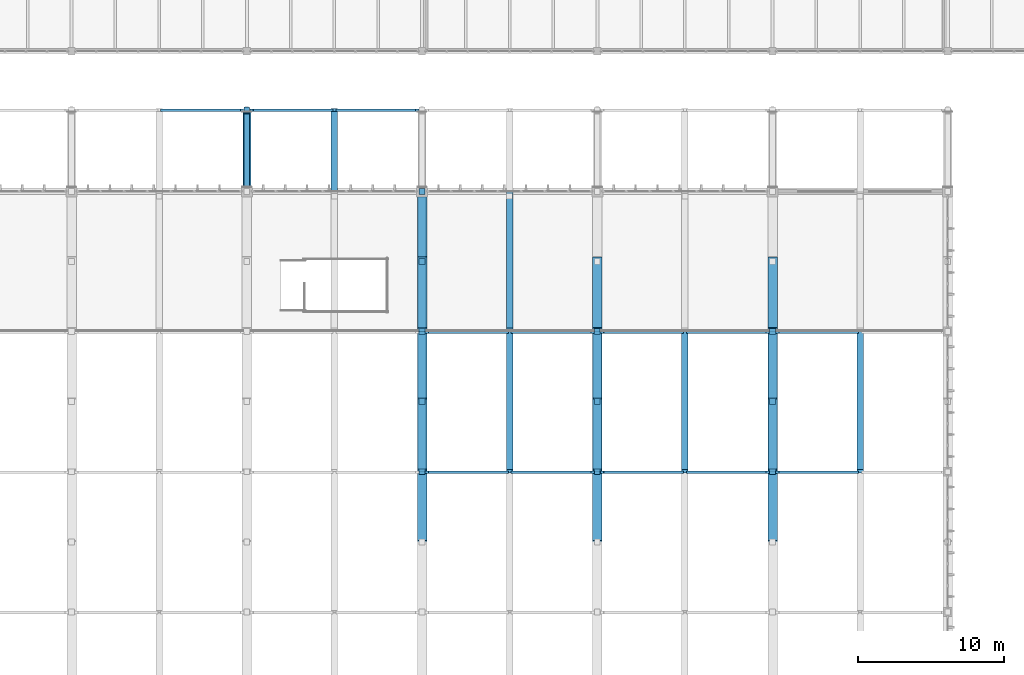
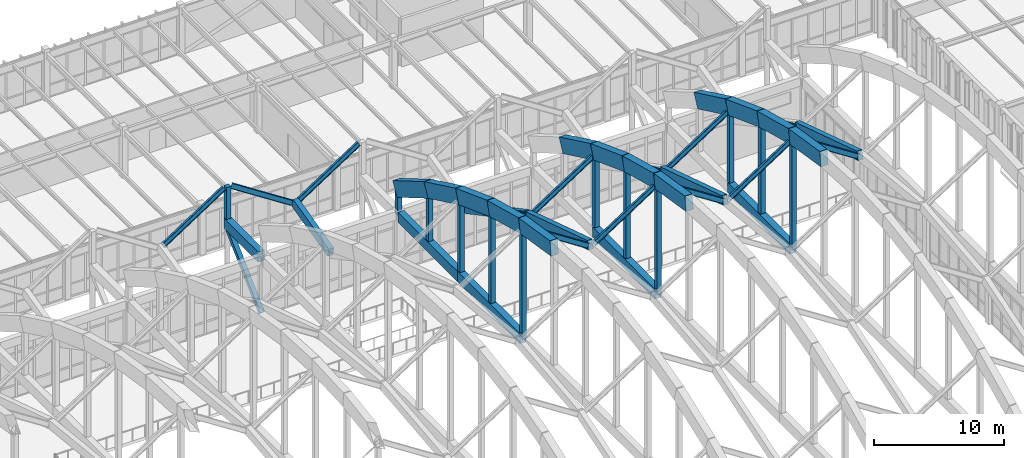
# One storey, part 83 of 236: 26 members, 23 beams.
"""IFC4 building model written with IfcOpenShell, lengths in metres."""

from ifc_helpers import new_model, si_unit, direction, frame, origin, origin_2d, place, context, subcontext, project, spatial, rectangle, i_section, extrude, material, material_profile, profile_set, type_object, element, save


model = new_model("IFC4")

# Units and contexts
model_context = context("Model", 3, precision=1e-05, world=origin(), true_north=direction((0.0, 1.0)))
body_context = subcontext(model_context, "Body", "Model", "MODEL_VIEW")
ifc_project = project(units=[si_unit("LENGTHUNIT", "METRE"), si_unit("AREAUNIT", "SQUARE_METRE"), si_unit("VOLUMEUNIT", "CUBIC_METRE"), si_unit("PLANEANGLEUNIT", "RADIAN"), si_unit("MASSUNIT", "GRAM", prefix="KILO")], contexts=[model_context])

# Site, building, storey
site_placement = place(None, origin())
site = spatial("IfcSite", under=ifc_project, at=site_placement, CompositionType="ELEMENT")
building_placement = place(site_placement, origin())
building = spatial("IfcBuilding", under=site, at=building_placement, Name="Pandanus Reach Market Hall", CompositionType="ELEMENT")
storey_placement = place(building_placement, frame((0.0, 0.0, 5.39990234375)))
storey = spatial("IfcBuildingStorey", under=building, at=storey_placement, Name="L01", CompositionType="ELEMENT", Elevation=5.39990234375)

# Members
ifc_material_1 = material(Name="Concrete N50 (50 MPa)", Category="concrete")
ifc_material_profile_1 = material_profile(ifc_material_1, rectangle(XDim=0.64990234375, YDim=1.35009765625, at=origin_2d()), Name="RC650x1350", Category="LoadBearing")
ifc_profile_set_1 = profile_set([ifc_material_profile_1], Name="Concrete N50 (50 MPa)")
member_type_1 = type_object("IfcMemberType", Name="AR-RC650-E", PredefinedType="CHORD", material=ifc_profile_set_1)
member_1_placement = place(storey_placement, frame((96.0, 62.39990234375, 16.724609375), z_axis=(0.0, 0.987485724156, -0.15770841635), x_axis=(-1.0, 0.0, 0.0)))
element("IfcMember", 1, at=member_1_placement, inside=storey, type_object=member_type_1, Name="Parabolic arch top chord A5.8", PredefinedType="CHORD", context=body_context, shape_type="SweptSolid", body=[
    extrude(rectangle(XDim=0.64990234375, YDim=1.35009765625, at=origin_2d()), origin(), (0.0, 0.0, 1.0), 4.86083984375),
])
member_2_placement = place(storey_placement, frame((96.0, 67.199951171875, 15.9580078125), z_axis=(0.0, 0.966344166189, -0.257252701584), x_axis=(-1.0, 0.0, 0.0)))
element("IfcMember", 2, at=member_2_placement, inside=storey, type_object=member_type_1, Name="Parabolic arch top chord A5.9", PredefinedType="CHORD", context=body_context, shape_type="SweptSolid", body=[
    extrude(rectangle(XDim=0.64990234375, YDim=1.35009765625, at=origin_2d()), origin(), (0.0, 0.0, 1.0), 4.96728515625),
])
member_3_placement = place(storey_placement, frame((96.0, 72.0, 14.68017578125), z_axis=(0.0, 0.937030438748, -0.349247701294), x_axis=(-1.0, 0.0, 0.0)))
element("IfcMember", 3, at=member_3_placement, inside=storey, type_object=member_type_1, Name="Parabolic arch top chord A5.10", PredefinedType="CHORD", context=body_context, shape_type="SweptSolid", body=[
    extrude(rectangle(XDim=0.64990234375, YDim=1.35009765625, at=origin_2d()), origin(), (0.0, 0.0, 1.0), 5.12255859375),
])
member_4_placement = place(storey_placement, frame((96.0, 76.800048828125, 12.89111328125), z_axis=(0.0, 0.901832040997, -0.432086761924), x_axis=(-1.0, 0.0, 0.0)))
element("IfcMember", 4, at=member_4_placement, inside=storey, type_object=member_type_1, Name="Parabolic arch top chord A5.11", PredefinedType="CHORD", context=body_context, shape_type="SweptSolid", body=[
    extrude(rectangle(XDim=0.64990234375, YDim=1.35009765625, at=origin_2d()), origin(), (0.0, 0.0, 1.0), 5.322509765625),
])
member_5_placement = place(storey_placement, frame((96.0, 81.60009765625, 10.59130859375), z_axis=(0.0, 0.862886095496, -0.505398443013), x_axis=(-1.0, 0.0, 0.0)))
element("IfcMember", 5, at=member_5_placement, inside=storey, type_object=member_type_1, Name="Parabolic arch top chord A5.12", PredefinedType="CHORD", context=body_context, shape_type="SweptSolid", body=[
    extrude(rectangle(XDim=0.64990234375, YDim=1.35009765625, at=origin_2d()), origin(), (0.0, 0.0, 1.0), 5.5625),
])
member_6_placement = place(storey_placement, frame((108.0, 62.39990234375, 16.724609375), z_axis=(0.0, 0.987485724156, -0.15770841635), x_axis=(-1.0, 0.0, 0.0)))
element("IfcMember", 6, at=member_6_placement, inside=storey, type_object=member_type_1, Name="Parabolic arch top chord A6.8", PredefinedType="CHORD", context=body_context, shape_type="SweptSolid", body=[
    extrude(rectangle(XDim=0.64990234375, YDim=1.35009765625, at=origin_2d()), origin(), (0.0, 0.0, 1.0), 4.86083984375),
])
member_7_placement = place(storey_placement, frame((108.0, 67.199951171875, 15.9580078125), z_axis=(0.0, 0.966344166189, -0.257252701584), x_axis=(-1.0, 0.0, 0.0)))
element("IfcMember", 7, at=member_7_placement, inside=storey, type_object=member_type_1, Name="Parabolic arch top chord A6.9", PredefinedType="CHORD", context=body_context, shape_type="SweptSolid", body=[
    extrude(rectangle(XDim=0.64990234375, YDim=1.35009765625, at=origin_2d()), origin(), (0.0, 0.0, 1.0), 4.96728515625),
])
member_8_placement = place(storey_placement, frame((108.0, 72.0, 14.68017578125), z_axis=(0.0, 0.937030438748, -0.349247701294), x_axis=(-1.0, 0.0, 0.0)))
element("IfcMember", 8, at=member_8_placement, inside=storey, type_object=member_type_1, Name="Parabolic arch top chord A6.10", PredefinedType="CHORD", context=body_context, shape_type="SweptSolid", body=[
    extrude(rectangle(XDim=0.64990234375, YDim=1.35009765625, at=origin_2d()), origin(), (0.0, 0.0, 1.0), 5.12255859375),
])
member_9_placement = place(storey_placement, frame((108.0, 76.800048828125, 12.89111328125), z_axis=(0.0, 0.901832040997, -0.432086761924), x_axis=(-1.0, 0.0, 0.0)))
element("IfcMember", 9, at=member_9_placement, inside=storey, type_object=member_type_1, Name="Parabolic arch top chord A6.11", PredefinedType="CHORD", context=body_context, shape_type="SweptSolid", body=[
    extrude(rectangle(XDim=0.64990234375, YDim=1.35009765625, at=origin_2d()), origin(), (0.0, 0.0, 1.0), 5.322509765625),
])
member_10_placement = place(storey_placement, frame((120.0, 62.39990234375, 16.724609375), z_axis=(0.0, 0.987485724156, -0.15770841635), x_axis=(-1.0, 0.0, 0.0)))
element("IfcMember", 10, at=member_10_placement, inside=storey, type_object=member_type_1, Name="Parabolic arch top chord A7.8", PredefinedType="CHORD", context=body_context, shape_type="SweptSolid", body=[
    extrude(rectangle(XDim=0.64990234375, YDim=1.35009765625, at=origin_2d()), origin(), (0.0, 0.0, 1.0), 4.86083984375),
])
member_11_placement = place(storey_placement, frame((120.0, 67.199951171875, 15.9580078125), z_axis=(0.0, 0.966344166189, -0.257252701584), x_axis=(-1.0, 0.0, 0.0)))
element("IfcMember", 11, at=member_11_placement, inside=storey, type_object=member_type_1, Name="Parabolic arch top chord A7.9", PredefinedType="CHORD", context=body_context, shape_type="SweptSolid", body=[
    extrude(rectangle(XDim=0.64990234375, YDim=1.35009765625, at=origin_2d()), origin(), (0.0, 0.0, 1.0), 4.96728515625),
])
member_12_placement = place(storey_placement, frame((120.0, 72.0, 14.68017578125), z_axis=(0.0, 0.937030438748, -0.349247701294), x_axis=(-1.0, 0.0, 0.0)))
element("IfcMember", 12, at=member_12_placement, inside=storey, type_object=member_type_1, Name="Parabolic arch top chord A7.10", PredefinedType="CHORD", context=body_context, shape_type="SweptSolid", body=[
    extrude(rectangle(XDim=0.64990234375, YDim=1.35009765625, at=origin_2d()), origin(), (0.0, 0.0, 1.0), 5.12255859375),
])
member_13_placement = place(storey_placement, frame((120.0, 76.800048828125, 12.89111328125), z_axis=(0.0, 0.901832040997, -0.432086761924), x_axis=(-1.0, 0.0, 0.0)))
element("IfcMember", 13, at=member_13_placement, inside=storey, type_object=member_type_1, Name="Parabolic arch top chord A7.11", PredefinedType="CHORD", context=body_context, shape_type="SweptSolid", body=[
    extrude(rectangle(XDim=0.64990234375, YDim=1.35009765625, at=origin_2d()), origin(), (0.0, 0.0, 1.0), 5.322509765625),
])
ifc_material_profile_2 = material_profile(ifc_material_1, rectangle(XDim=0.39990234375, YDim=0.39990234375, at=origin_2d()), Name="RC400x400", Category="LoadBearing")
ifc_profile_set_2 = profile_set([ifc_material_profile_2], Name="Concrete N50 (50 MPa)")
member_type_2 = type_object("IfcMemberType", Name="AR-WEB400-E", PredefinedType="STRUT", material=ifc_profile_set_2)
member_14_placement = place(storey_placement, frame((84.0, 91.9599609375, 5.3251953125), z_axis=(0.0, 0.0, 1.0), x_axis=(1.0, 0.0, 0.0)))
element("IfcMember", 14, at=member_14_placement, inside=storey, type_object=member_type_2, Name="Zigzag eaves ridge post A4.N", PredefinedType="STRUT", context=body_context, shape_type="SweptSolid", body=[
    extrude(rectangle(XDim=0.39990234375, YDim=0.39990234375, at=origin_2d()), origin(), (0.0, 0.0, 1.0), 3.474853515625),
])
member_15_placement = place(storey_placement, frame((96.0, 86.39990234375, 5.3251953125), z_axis=(0.0, 0.0, 1.0), x_axis=(1.0, 0.0, 0.0)))
element("IfcMember", 15, at=member_15_placement, inside=storey, type_object=member_type_2, Name="Arch springing concrete strut A5.N", PredefinedType="STRUT", context=body_context, shape_type="SweptSolid", body=[
    extrude(rectangle(XDim=0.39990234375, YDim=0.39990234375, at=origin_2d()), origin(), (0.0, 0.0, 1.0), 2.454833984375),
])
member_16_placement = place(storey_placement, frame((96.0, 67.199951171875, 5.3251953125), z_axis=(0.0, 0.0, 1.0), x_axis=(1.0, 0.0, 0.0)))
element("IfcMember", 16, at=member_16_placement, inside=storey, type_object=member_type_2, Name="Arch truss vertical web strut A5.8", PredefinedType="STRUT", context=body_context, shape_type="SweptSolid", body=[
    extrude(rectangle(XDim=0.39990234375, YDim=0.39990234375, at=origin_2d()), origin(), (0.0, 0.0, 1.0), 10.6328125),
])
member_17_placement = place(storey_placement, frame((96.0, 72.0, 5.3251953125), z_axis=(0.0, 0.0, 1.0), x_axis=(1.0, 0.0, 0.0)))
element("IfcMember", 17, at=member_17_placement, inside=storey, type_object=member_type_2, Name="Arch truss vertical web strut A5.9", PredefinedType="STRUT", context=body_context, shape_type="SweptSolid", body=[
    extrude(rectangle(XDim=0.39990234375, YDim=0.39990234375, at=origin_2d()), origin(), (0.0, 0.0, 1.0), 9.35498046875),
])
member_18_placement = place(storey_placement, frame((96.0, 76.800048828125, 5.3251953125), z_axis=(0.0, 0.0, 1.0), x_axis=(1.0, 0.0, 0.0)))
element("IfcMember", 18, at=member_18_placement, inside=storey, type_object=member_type_2, Name="Arch truss vertical web strut A5.10", PredefinedType="STRUT", context=body_context, shape_type="SweptSolid", body=[
    extrude(rectangle(XDim=0.39990234375, YDim=0.39990234375, at=origin_2d()), origin(), (0.0, 0.0, 1.0), 7.56591796875),
])
member_19_placement = place(storey_placement, frame((96.0, 81.60009765625, 5.3251953125), z_axis=(0.0, 0.0, 1.0), x_axis=(1.0, 0.0, 0.0)))
element("IfcMember", 19, at=member_19_placement, inside=storey, type_object=member_type_2, Name="Arch truss vertical web strut A5.11", PredefinedType="STRUT", context=body_context, shape_type="SweptSolid", body=[
    extrude(rectangle(XDim=0.39990234375, YDim=0.39990234375, at=origin_2d()), origin(), (0.0, 0.0, 1.0), 5.26611328125),
])
member_20_placement = place(storey_placement, frame((108.0, 67.199951171875, 5.3251953125), z_axis=(0.0, 0.0, 1.0), x_axis=(1.0, 0.0, 0.0)))
element("IfcMember", 20, at=member_20_placement, inside=storey, type_object=member_type_2, Name="Arch truss vertical web strut A6.8", PredefinedType="STRUT", context=body_context, shape_type="SweptSolid", body=[
    extrude(rectangle(XDim=0.39990234375, YDim=0.39990234375, at=origin_2d()), origin(), (0.0, 0.0, 1.0), 10.6328125),
])
member_21_placement = place(storey_placement, frame((108.0, 72.0, 5.3251953125), z_axis=(0.0, 0.0, 1.0), x_axis=(1.0, 0.0, 0.0)))
element("IfcMember", 21, at=member_21_placement, inside=storey, type_object=member_type_2, Name="Arch truss vertical web strut A6.9", PredefinedType="STRUT", context=body_context, shape_type="SweptSolid", body=[
    extrude(rectangle(XDim=0.39990234375, YDim=0.39990234375, at=origin_2d()), origin(), (0.0, 0.0, 1.0), 9.35498046875),
])
member_22_placement = place(storey_placement, frame((108.0, 76.800048828125, 5.3251953125), z_axis=(0.0, 0.0, 1.0), x_axis=(1.0, 0.0, 0.0)))
element("IfcMember", 22, at=member_22_placement, inside=storey, type_object=member_type_2, Name="Arch truss vertical web strut A6.10", PredefinedType="STRUT", context=body_context, shape_type="SweptSolid", body=[
    extrude(rectangle(XDim=0.39990234375, YDim=0.39990234375, at=origin_2d()), origin(), (0.0, 0.0, 1.0), 7.56591796875),
])
member_23_placement = place(storey_placement, frame((120.0, 67.199951171875, 5.3251953125), z_axis=(0.0, 0.0, 1.0), x_axis=(1.0, 0.0, 0.0)))
element("IfcMember", 23, at=member_23_placement, inside=storey, type_object=member_type_2, Name="Arch truss vertical web strut A7.8", PredefinedType="STRUT", context=body_context, shape_type="SweptSolid", body=[
    extrude(rectangle(XDim=0.39990234375, YDim=0.39990234375, at=origin_2d()), origin(), (0.0, 0.0, 1.0), 10.6328125),
])
member_24_placement = place(storey_placement, frame((120.0, 72.0, 5.3251953125), z_axis=(0.0, 0.0, 1.0), x_axis=(1.0, 0.0, 0.0)))
element("IfcMember", 24, at=member_24_placement, inside=storey, type_object=member_type_2, Name="Arch truss vertical web strut A7.9", PredefinedType="STRUT", context=body_context, shape_type="SweptSolid", body=[
    extrude(rectangle(XDim=0.39990234375, YDim=0.39990234375, at=origin_2d()), origin(), (0.0, 0.0, 1.0), 9.35498046875),
])
member_25_placement = place(storey_placement, frame((120.0, 76.800048828125, 5.3251953125), z_axis=(0.0, 0.0, 1.0), x_axis=(1.0, 0.0, 0.0)))
element("IfcMember", 25, at=member_25_placement, inside=storey, type_object=member_type_2, Name="Arch truss vertical web strut A7.10", PredefinedType="STRUT", context=body_context, shape_type="SweptSolid", body=[
    extrude(rectangle(XDim=0.39990234375, YDim=0.39990234375, at=origin_2d()), origin(), (0.0, 0.0, 1.0), 7.56591796875),
])

# Beams
ifc_material_2 = material(Name="Concrete N40 (40 MPa)", Category="concrete")
ifc_material_profile_3 = material_profile(ifc_material_2, rectangle(XDim=0.449951171875, YDim=0.800048828125, at=origin_2d()), Name="RC450x800", Category="LoadBearing")
ifc_profile_set_3 = profile_set([ifc_material_profile_3], Name="Concrete N40 (40 MPa)")
beam_type_1 = type_object("IfcBeamType", Name="BM-RC450-I", PredefinedType="BEAM", material=ifc_profile_set_3)
beam_1_placement = place(storey_placement, frame((90.0, 86.43994140625, 3.7900390625), z_axis=(0.0, 0.97055017704, 0.240899053231), x_axis=(-1.0, 0.0, 0.0)))
element("IfcBeam", 26, at=beam_1_placement, inside=storey, type_object=beam_type_1, Name="Butterfly valley beam B4.8", PredefinedType="BEAM", context=body_context, shape_type="SweptSolid", body=[
    extrude(rectangle(XDim=0.449951171875, YDim=0.800048828125, at=origin_2d()), origin(), (0.0, 0.0, 1.0), 5.6875),
])
beam_2_placement = place(storey_placement, frame((102.0, 67.239990234375, 11.959228515625), z_axis=(0.0, 0.952580593406, -0.30428639974), x_axis=(-1.0, 0.0, 0.0)))
element("IfcBeam", 27, at=beam_2_placement, inside=storey, type_object=beam_type_1, Name="Butterfly valley beam B5.6", PredefinedType="BEAM", context=body_context, shape_type="SweptSolid", body=[
    extrude(rectangle(XDim=0.449951171875, YDim=0.800048828125, at=origin_2d()), origin(), (0.0, 0.0, 1.0), 9.993896484375),
])
beam_3_placement = place(storey_placement, frame((102.0, 76.840087890625, 8.88427734375), z_axis=(0.0, 0.882689208935, -0.469957189996), x_axis=(-1.0, 0.0, 0.0)))
element("IfcBeam", 28, at=beam_3_placement, inside=storey, type_object=beam_type_1, Name="Butterfly valley beam B5.7", PredefinedType="BEAM", context=body_context, shape_type="SweptSolid", body=[
    extrude(rectangle(XDim=0.449951171875, YDim=0.800048828125, at=origin_2d()), origin(), (0.0, 0.0, 1.0), 10.78515625),
])
for number, where, z_axis, x_axis, name in (
    (29, (114.0, 67.239990234375, 11.959228515625), (0.0, 0.952580593406, -0.30428639974), (-1.0, 0.0, 0.0), "Butterfly valley beam B6.6"),
    (30, (126.0, 67.239990234375, 11.959228515625), (0.0, 0.952580593406, -0.30428639974), (-1.0, 0.0, 0.0), "Butterfly valley beam B7.6"),
):
    element("IfcBeam", number, at=place(storey_placement, frame(where, z_axis=z_axis, x_axis=x_axis)), inside=storey, type_object=beam_type_1, Name=name, PredefinedType="BEAM", context=body_context, shape_type="SweptSolid", body=[
        extrude(rectangle(XDim=0.449951171875, YDim=0.800048828125, at=origin_2d()), origin(), (0.0, 0.0, 1.0), 9.993896484375),
    ])
ifc_material_profile_4 = material_profile(ifc_material_1, rectangle(XDim=0.550048828125, YDim=0.949951171875, at=origin_2d()), Name="RC550x950", Category="LoadBearing")
ifc_profile_set_4 = profile_set([ifc_material_profile_4], Name="Concrete N50 (50 MPa)")
beam_type_2 = type_object("IfcBeamType", Name="BM-RC550-E", PredefinedType="BEAM", material=ifc_profile_set_4)
beam_4_placement = place(storey_placement, frame((84.0, 86.77001953125, 5.3251953125), z_axis=(0.0, 1.0, 0.0), x_axis=(-1.0, 0.0, 0.0)))
element("IfcBeam", 31, at=beam_4_placement, inside=storey, type_object=beam_type_2, Name="Zigzag north eaves cantilever girder A4N", PredefinedType="BEAM", context=body_context, shape_type="SweptSolid", body=[
    extrude(rectangle(XDim=0.550048828125, YDim=0.949951171875, at=origin_2d()), origin(), (0.0, 0.0, 1.0), 5.22998046875),
])
ifc_material_profile_5 = material_profile(ifc_material_1, rectangle(XDim=0.550048828125, YDim=0.949951171875, at=origin_2d()), Name="RC550x950", Category="LoadBearing")
ifc_profile_set_5 = profile_set([ifc_material_profile_5], Name="Concrete N50 (50 MPa)")
beam_type_3 = type_object("IfcBeamType", Name="BM-RC550-I", PredefinedType="BEAM", material=ifc_profile_set_5)
beam_5_placement = place(storey_placement, frame((96.0, 67.199951171875, 5.3251953125), z_axis=(0.0, 1.0, 0.0), x_axis=(-1.0, 0.0, 0.0)))
element("IfcBeam", 32, at=beam_5_placement, inside=storey, type_object=beam_type_3, Name="Parabolic arch tie girder A5.5", PredefinedType="BEAM", context=body_context, shape_type="SweptSolid", body=[
    extrude(rectangle(XDim=0.550048828125, YDim=0.949951171875, at=origin_2d()), origin(), (0.0, 0.0, 1.0), 9.60009765625),
])
beam_6_placement = place(storey_placement, frame((96.0, 76.800048828125, 5.3251953125), z_axis=(0.0, 1.0, 0.0), x_axis=(-1.0, 0.0, 0.0)))
element("IfcBeam", 33, at=beam_6_placement, inside=storey, type_object=beam_type_3, Name="Parabolic arch tie girder A5.6", PredefinedType="BEAM", context=body_context, shape_type="SweptSolid", body=[
    extrude(rectangle(XDim=0.550048828125, YDim=0.949951171875, at=origin_2d()), origin(), (0.0, 0.0, 1.0), 9.22705078125),
])
for number, where, z_axis, x_axis, name in (
    (34, (108.0, 67.199951171875, 5.3251953125), (0.0, 1.0, 0.0), (-1.0, 0.0, 0.0), "Parabolic arch tie girder A6.5"),
    (35, (120.0, 67.199951171875, 5.3251953125), (0.0, 1.0, 0.0), (-1.0, 0.0, 0.0), "Parabolic arch tie girder A7.5"),
):
    element("IfcBeam", number, at=place(storey_placement, frame(where, z_axis=z_axis, x_axis=x_axis)), inside=storey, type_object=beam_type_3, Name=name, PredefinedType="BEAM", context=body_context, shape_type="SweptSolid", body=[
        extrude(rectangle(XDim=0.550048828125, YDim=0.949951171875, at=origin_2d()), origin(), (0.0, 0.0, 1.0), 9.60009765625),
    ])
ifc_material_3 = material(Name="Steel Grade 350 (350 MPa)", Category="steel")
ifc_material_profile_6 = material_profile(ifc_material_3, i_section(OverallWidth=0.18994140625, OverallDepth=0.45703125, WebThickness=0.009033203125, FlangeThickness=0.014404296875, at=origin_2d()), Name="460UB74.6", Category="LoadBearing")
ifc_profile_set_6 = profile_set([ifc_material_profile_6], Name="Steel Grade 350 (350 MPa)")
beam_type_4 = type_object("IfcBeamType", Name="BM-UB460-E", PredefinedType="BEAM", material=ifc_profile_set_6)
for number, where, z_axis, x_axis, name in (
    (36, (78.219970703125, 91.9599609375, 5.16015625), (0.839070527962, 0.0, 0.544022654956), (0.0, 1.0, 0.0), "Butterfly transverse rib B3.8R"),
    (37, (84.320068359375, 91.9599609375, 8.7001953125), (0.839070527962, 0.0, -0.544022654956), (0.0, 1.0, 0.0), "Butterfly transverse rib B4.8L"),
    (38, (90.219970703125, 91.9599609375, 5.16015625), (0.839070527962, 0.0, 0.544022654956), (0.0, 1.0, 0.0), "Butterfly transverse rib B4.8R"),
):
    element("IfcBeam", number, at=place(storey_placement, frame(where, z_axis=z_axis, x_axis=x_axis)), inside=storey, type_object=beam_type_4, Name=name, PredefinedType="BEAM", context=body_context, shape_type="SweptSolid", body=[
        extrude(i_section(OverallWidth=0.18994140625, OverallDepth=0.45703125, WebThickness=0.009033203125, FlangeThickness=0.014404296875, at=origin_2d()), origin(), (0.0, 0.0, 1.0), 6.507080078125),
    ])
ifc_material_profile_7 = material_profile(ifc_material_3, i_section(OverallWidth=0.18994140625, OverallDepth=0.45703125, WebThickness=0.009033203125, FlangeThickness=0.014404296875, at=origin_2d()), Name="460UB74.6", Category="LoadBearing")
ifc_profile_set_7 = profile_set([ifc_material_profile_7], Name="Steel Grade 350 (350 MPa)")
beam_type_5 = type_object("IfcBeamType", Name="BM-UB460-I", PredefinedType="BEAM", material=ifc_profile_set_7)
for number, where, z_axis, x_axis, name in (
    (39, (96.320068359375, 67.159912109375, 15.516357421875), (0.839070527962, 0.0, -0.544022654956), (0.0, 1.0, 0.0), "Butterfly transverse rib B5.5L"),
    (40, (102.219970703125, 67.159912109375, 11.976318359375), (0.839070527962, 0.0, 0.544022654956), (0.0, 1.0, 0.0), "Butterfly transverse rib B5.5R"),
    (41, (96.320068359375, 76.760009765625, 12.458251953125), (0.839070527962, 0.0, -0.544022654956), (0.0, 1.0, 0.0), "Butterfly transverse rib B5.6L"),
    (42, (102.219970703125, 76.760009765625, 8.918212890625), (0.839070527962, 0.0, 0.544022654956), (0.0, 1.0, 0.0), "Butterfly transverse rib B5.6R"),
    (43, (108.320068359375, 67.159912109375, 15.516357421875), (0.839070527962, 0.0, -0.544022654956), (0.0, 1.0, 0.0), "Butterfly transverse rib B6.5L"),
    (44, (114.219970703125, 67.159912109375, 11.976318359375), (0.839070527962, 0.0, 0.544022654956), (0.0, 1.0, 0.0), "Butterfly transverse rib B6.5R"),
    (45, (108.320068359375, 76.760009765625, 12.458251953125), (0.839070527962, 0.0, -0.544022654956), (0.0, 1.0, 0.0), "Butterfly transverse rib B6.6L"),
    (46, (114.219970703125, 76.760009765625, 8.918212890625), (0.839070527962, 0.0, 0.544022654956), (0.0, 1.0, 0.0), "Butterfly transverse rib B6.6R"),
    (47, (120.320068359375, 67.159912109375, 15.516357421875), (0.839070527962, 0.0, -0.544022654956), (0.0, 1.0, 0.0), "Butterfly transverse rib B7.5L"),
    (48, (120.320068359375, 76.760009765625, 12.458251953125), (0.839070527962, 0.0, -0.544022654956), (0.0, 1.0, 0.0), "Butterfly transverse rib B7.6L"),
):
    element("IfcBeam", number, at=place(storey_placement, frame(where, z_axis=z_axis, x_axis=x_axis)), inside=storey, type_object=beam_type_5, Name=name, PredefinedType="BEAM", context=body_context, shape_type="SweptSolid", body=[
        extrude(i_section(OverallWidth=0.18994140625, OverallDepth=0.45703125, WebThickness=0.009033203125, FlangeThickness=0.014404296875, at=origin_2d()), origin(), (0.0, 0.0, 1.0), 6.507080078125),
    ])

# Member
ifc_material_profile_8 = material_profile(ifc_material_1, rectangle(XDim=0.39990234375, YDim=0.39990234375, at=origin_2d()), Name="RC400x400", Category="LoadBearing")
ifc_profile_set_8 = profile_set([ifc_material_profile_8], Name="Concrete N50 (50 MPa)")
member_type_3 = type_object("IfcMemberType", Name="VS-RC400-E", PredefinedType="STRUT", material=ifc_profile_set_8)
member_26_placement = place(storey_placement, frame((84.0, 86.699951171875, 0.050048828125), z_axis=(0.0, 0.727995304502, 0.685582115157), x_axis=(-1.0, 0.0, 0.0)))
element("IfcMember", 49, at=member_26_placement, inside=storey, type_object=member_type_3, Name="Splayed concrete north arcade V-strut A4N", PredefinedType="STRUT", context=body_context, shape_type="SweptSolid", body=[
    extrude(rectangle(XDim=0.39990234375, YDim=0.39990234375, at=origin_2d()), origin(), (0.0, 0.0, 1.0), 7.074462890625),
])

save(model, "model.ifc")
